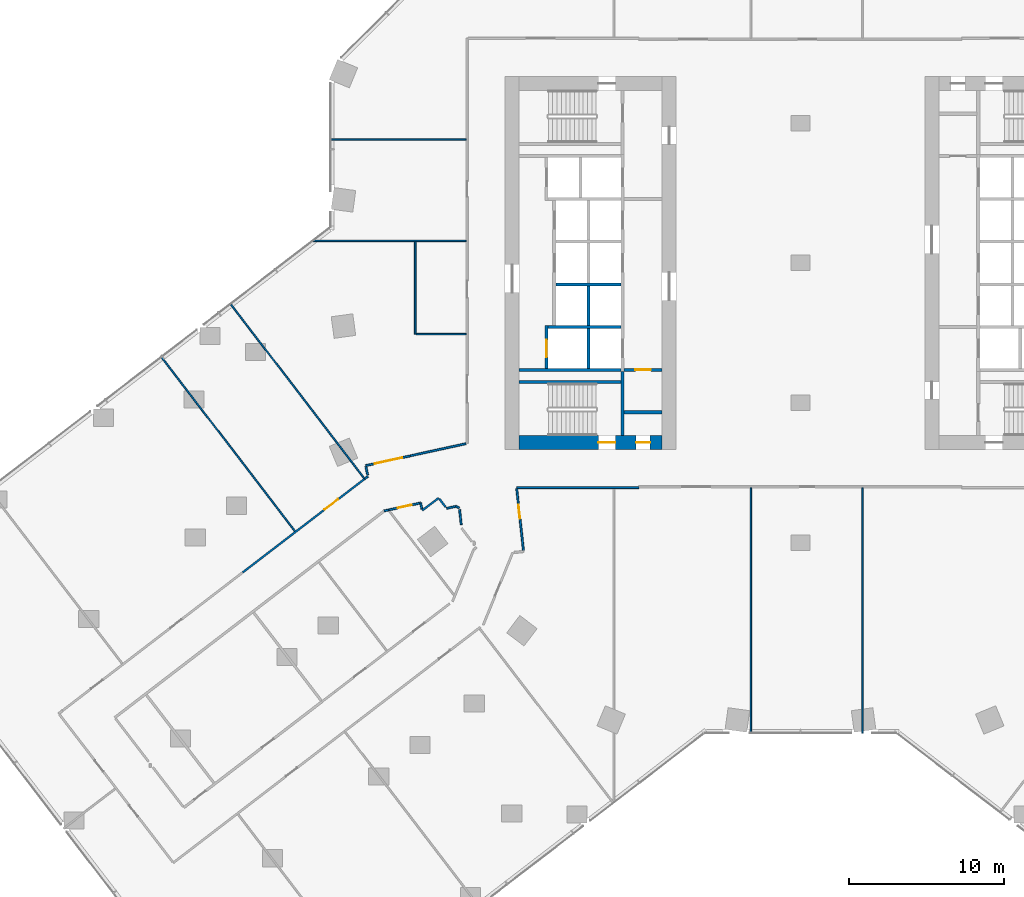
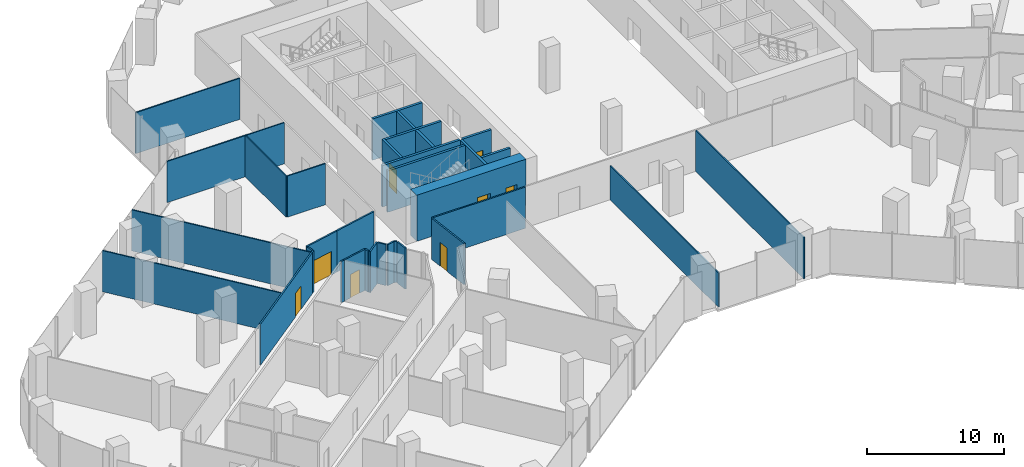
# One storey, part 22 of 29: 34 walls, 8 doors, 8 openings.
"""IFC4 building model written with IfcOpenShell, lengths in metres."""

from ifc_helpers import new_model, si_unit, direction, frame, frame_2d, origin, place, context, subcontext, project, spatial, rectangle, extrude, material, layer, layer_set, type_object, element, fill, save


model = new_model("IFC4")

# Units and contexts
model_context = context("Model", 3, precision=1e-05, world=origin(), true_north=direction((0.0, 1.0)))
body_context = subcontext(model_context, "Body", "Model", "MODEL_VIEW")
ifc_project = project(units=[si_unit("LENGTHUNIT", "METRE"), si_unit("AREAUNIT", "SQUARE_METRE"), si_unit("VOLUMEUNIT", "CUBIC_METRE"), si_unit("PLANEANGLEUNIT", "RADIAN"), si_unit("MASSUNIT", "GRAM", prefix="KILO")], contexts=[model_context])

# Site, building, storey
site_placement = place(None, origin())
site = spatial("IfcSite", under=ifc_project, at=site_placement, CompositionType="ELEMENT")
building_placement = place(site_placement, origin())
building = spatial("IfcBuilding", under=site, at=building_placement, Name="Orlundy Tower", CompositionType="ELEMENT")
storey_placement = place(building_placement, frame((0.0, 0.0, 29.199951171875)))
storey = spatial("IfcBuildingStorey", under=building, at=storey_placement, Name="L05", CompositionType="ELEMENT", Elevation=29.199951171875)

# Wall, openings, doors
ifc_material_1 = material(Name="Concrete C80/95", Category="concrete")
ifc_layer_1 = layer(ifc_material_1, 0.89990234375)
ifc_layer_set_1 = layer_set([ifc_layer_1], Name="CORE WALL 900 C80/95")
wall_type_1 = type_object("IfcWallType", Name="CORE WALL 900 C80/95", PredefinedType="SHEAR", material=ifc_layer_set_1)
wall_1_placement = place(storey_placement, frame((-18.10009765625, -11.550048828125, 0.0), z_axis=(0.0, 0.0, 1.0), x_axis=(1.0, 0.0, 0.0)))
wall_1 = element("IfcWall", 1, at=wall_1_placement, inside=storey, type_object=wall_type_1, Name="Core wall W-S L05", PredefinedType="SHEAR", context=body_context, shape_type="SweptSolid", body=[
    extrude(rectangle(XDim=9.2001953125, YDim=0.89990234375, at=frame_2d((4.60009765625, 0.0))), origin(), (0.0, 0.0, 1.0), 4.10009765625),
])
opening_1_placement = place(wall_1_placement, frame((5.10009765625, 0.0, 0.0)))
opening_1 = element("IfcOpeningElement", 2, at=opening_1_placement, cuts=wall_1, Name="Opening 06013", PredefinedType="OPENING", context=body_context, shape_type="SweptSolid", body=[
    extrude(rectangle(XDim=1.10009765625, YDim=2.10009765625, at=frame_2d((0.550048828125, 1.050048828125))), frame((0.0, 0.4599609375, 0.0), z_axis=(0.0, -1.0, 0.0), x_axis=(1.0, 0.0, 0.0)), (0.0, 0.0, 1.0), 0.919921875),
])
opening_2_placement = place(wall_1_placement, frame((7.530029296875, 0.0, 0.0)))
opening_2 = element("IfcOpeningElement", 3, at=opening_2_placement, cuts=wall_1, Name="Opening 06015", PredefinedType="OPENING", context=body_context, shape_type="SweptSolid", body=[
    extrude(rectangle(XDim=0.89990234375, YDim=2.10009765625, at=frame_2d((0.449951171875, 1.050048828125))), frame((0.0, 0.4599609375, 0.0), z_axis=(0.0, -1.0, 0.0), x_axis=(1.0, 0.0, 0.0)), (0.0, 0.0, 1.0), 0.919921875),
])
ifc_material_2 = material(Name="Timber door set", Category="wood")
door_type_1 = type_object("IfcDoorType", Name="Room Door 900x2100", OperationType="SINGLE_SWING_LEFT", PredefinedType="DOOR", material=ifc_material_2)
door_1_placement = place(opening_2_placement, origin())
door_1 = element("IfcDoor", 4, at=door_1_placement, inside=storey, type_object=door_type_1, Name="Store door 06015", OperationType="SINGLE_SWING_RIGHT", OverallHeight=2.10009765625, OverallWidth=0.89990234375, PredefinedType="DOOR", context=body_context, shape_type="SweptSolid", body=[
    extrude(rectangle(XDim=0.89990234375, YDim=2.10009765625, at=frame_2d((0.449951171875, 1.050048828125))), frame((0.0, 0.02490234375, 0.0), z_axis=(0.0, -1.0, 0.0), x_axis=(1.0, 0.0, 0.0)), (0.0, 0.0, 1.0), 0.050048828125),
])
fill(opening_2, door_1)
ifc_material_3 = material(Name="Steel door set", Category="steel")
door_type_2 = type_object("IfcDoorType", Name="Stair Door 1100x2100", OperationType="SINGLE_SWING_LEFT", PredefinedType="DOOR", material=ifc_material_3)
door_2_placement = place(opening_1_placement, origin())
door_2 = element("IfcDoor", 5, at=door_2_placement, inside=storey, type_object=door_type_2, Name="Stair door 06013", OperationType="SINGLE_SWING_RIGHT", OverallHeight=2.10009765625, OverallWidth=1.10009765625, PredefinedType="DOOR", context=body_context, shape_type="SweptSolid", body=[
    extrude(rectangle(XDim=1.10009765625, YDim=2.10009765625, at=frame_2d((0.550048828125, 1.050048828125))), frame((0.0, 0.02490234375, 0.0), z_axis=(0.0, -1.0, 0.0), x_axis=(1.0, 0.0, 0.0)), (0.0, 0.0, 1.0), 0.050048828125),
])
fill(opening_1, door_2)

# Walls
ifc_material_4 = material(Name="Gypsum board partition")
ifc_layer_2 = layer(ifc_material_4, 0.10009765625)
ifc_layer_set_2 = layer_set([ifc_layer_2], Name="Floor partition 100")
wall_type_2 = type_object("IfcWallType", Name="Floor partition 100", PredefinedType="PARTITIONING", material=ifc_layer_set_2)
wall_2_placement = place(storey_placement, frame((-41.1259765625, -6.032958984375, 0.0), z_axis=(0.0, 0.0, 1.0), x_axis=(0.608775561638, -0.793342495743, 0.0)))
element("IfcWall", 6, at=wall_2_placement, inside=storey, type_object=wall_type_2, Name="wall-int-L05-021", PredefinedType="PARTITIONING", context=body_context, shape_type="SweptSolid", body=[
    extrude(rectangle(XDim=14.136474609375, YDim=0.10009765625, at=frame_2d((7.068359375, 0.0))), origin(), (0.0, 0.0, 1.0), 3.66015625),
])
wall_3_placement = place(storey_placement, frame((-36.677978515625, -2.6201171875, 0.0), z_axis=(0.0, 0.0, 1.0), x_axis=(0.608783902678, -0.793336095132, 0.0)))
element("IfcWall", 7, at=wall_3_placement, inside=storey, type_object=wall_type_2, Name="wall-int-L05-023", PredefinedType="PARTITIONING", context=body_context, shape_type="SweptSolid", body=[
    extrude(rectangle(XDim=14.13623046875, YDim=0.10009765625, at=frame_2d((7.068115234375, 0.0))), origin(), (0.0, 0.0, 1.0), 3.66015625),
])
wall_4_placement = place(storey_placement, frame((-24.73193359375, -4.5791015625, 0.0), z_axis=(0.0, 0.0, 1.0), x_axis=(1.0, 0.0, 0.0)))
element("IfcWall", 8, at=wall_4_placement, inside=storey, type_object=wall_type_2, Name="wall-int-L05-043", PredefinedType="PARTITIONING", context=body_context, shape_type="SweptSolid", body=[
    extrude(rectangle(XDim=3.219970703125, YDim=0.10009765625, at=frame_2d((1.60986328125, 0.0))), origin(), (0.0, 0.0, 1.0), 3.66015625),
])
wall_5_placement = place(storey_placement, frame((-31.4140625, 1.419921875, 0.0), z_axis=(0.0, 0.0, 1.0), x_axis=(1.0, 0.0, 0.0)))
element("IfcWall", 9, at=wall_5_placement, inside=storey, type_object=wall_type_2, Name="wall-int-L05-044", PredefinedType="PARTITIONING", context=body_context, shape_type="SweptSolid", body=[
    extrude(rectangle(XDim=9.902099609375, YDim=0.10009765625, at=frame_2d((4.951171875, 0.0))), origin(), (0.0, 0.0, 1.0), 3.66015625),
])
wall_6_placement = place(storey_placement, frame((-30.25, 7.93408203125, 0.0), z_axis=(0.0, 0.0, 1.0), x_axis=(1.0, 0.0, 0.0)))
element("IfcWall", 10, at=wall_6_placement, inside=storey, type_object=wall_type_2, Name="wall-int-L05-046", PredefinedType="PARTITIONING", context=body_context, shape_type="SweptSolid", body=[
    extrude(rectangle(XDim=8.738037109375, YDim=0.10009765625, at=frame_2d((4.369140625, 0.0))), origin(), (0.0, 0.0, 1.0), 3.66015625),
])
wall_7_placement = place(storey_placement, frame((4.0, -30.25, 0.0), z_axis=(0.0, 0.0, 1.0), x_axis=(0.0, 1.0, 0.0)))
element("IfcWall", 11, at=wall_7_placement, inside=storey, type_object=wall_type_2, Name="wall-int-L05-093", PredefinedType="PARTITIONING", context=body_context, shape_type="SweptSolid", body=[
    extrude(rectangle(XDim=15.787109375, YDim=0.10009765625, at=frame_2d((7.8935546875, 0.0))), origin(), (0.0, 0.0, 1.0), 3.66015625),
])
wall_8_placement = place(storey_placement, frame((-24.781982421875, -4.5791015625, 0.0), z_axis=(0.0, 0.0, 1.0), x_axis=(0.0, 1.0, 0.0)))
element("IfcWall", 12, at=wall_8_placement, inside=storey, type_object=wall_type_2, Name="wall-int-L05-100", PredefinedType="PARTITIONING", context=body_context, shape_type="SweptSolid", body=[
    extrude(rectangle(XDim=5.94921875, YDim=0.10009765625, at=frame_2d((2.974609375, 0.0))), origin(), (0.0, 0.0, 1.0), 3.66015625),
])
ifc_material_5 = material(Name="Gypsum board partition")
ifc_layer_3 = layer(ifc_material_5, 0.10009765625)
ifc_layer_set_3 = layer_set([ifc_layer_3], Name="Floor partition 100 B")
wall_type_3 = type_object("IfcWallType", Name="Floor partition 100 B", PredefinedType="PARTITIONING", material=ifc_layer_set_3)
wall_9_placement = place(storey_placement, frame((-3.195068359375, -30.25, 0.0), z_axis=(0.0, 0.0, 1.0), x_axis=(0.0, 1.0, 0.0)))
element("IfcWall", 13, at=wall_9_placement, inside=storey, type_object=wall_type_3, Name="wall-int-L05-095", PredefinedType="PARTITIONING", context=body_context, shape_type="SweptSolid", body=[
    extrude(rectangle(XDim=15.787109375, YDim=0.10009765625, at=frame_2d((7.8935546875, 0.0))), origin(), (0.0, 0.0, 1.0), 3.025146484375),
])
ifc_material_6 = material(Name="Gypsum board partition, double layer")
ifc_layer_4 = layer(ifc_material_6, 0.125)
ifc_layer_set_4 = layer_set([ifc_layer_4], Name="Floor partition 125")
wall_type_4 = type_object("IfcWallType", Name="Floor partition 125", PredefinedType="PARTITIONING", material=ifc_layer_set_4)
wall_10_placement = place(storey_placement, frame((-21.930908203125, -15.864013671875, 0.0), z_axis=(0.0, 0.0, 1.0), x_axis=(0.10837572028, -0.99411000561, 0.0)))
element("IfcWall", 14, at=wall_10_placement, inside=storey, type_object=wall_type_4, Name="wall-int-L05-002", PredefinedType="PARTITIONING", context=body_context, shape_type="SweptSolid", body=[
    extrude(rectangle(XDim=0.977783203125, YDim=0.125, at=frame_2d((0.48876953125, 0.0))), origin(), (0.0, 0.0, 1.0), 3.66015625),
])

# Wall, opening, door
wall_11_placement = place(storey_placement, frame((-18.2548828125, -14.512939453125, 0.0), z_axis=(0.0, 0.0, 1.0), x_axis=(0.108304050005, -0.994117816334, 0.0)))
wall_11 = element("IfcWall", 15, at=wall_11_placement, inside=storey, type_object=wall_type_4, Name="wall-int-L05-003", PredefinedType="PARTITIONING", context=body_context, shape_type="SweptSolid", body=[
    extrude(rectangle(XDim=4.005859375, YDim=0.125, at=frame_2d((2.0029296875, 0.0))), origin(), (0.0, 0.0, 1.0), 3.66015625),
])
opening_3_placement = place(wall_11_placement, frame((1.03759765625, 0.0, 0.0)))
opening_3 = element("IfcOpeningElement", 16, at=opening_3_placement, cuts=wall_11, Name="Opening 06126", PredefinedType="OPENING", context=body_context, shape_type="SweptSolid", body=[
    extrude(rectangle(XDim=0.89990234375, YDim=2.10009765625, at=frame_2d((0.449951171875, 1.050048828125))), frame((0.0, 0.072509765625, 0.0), z_axis=(0.0, -1.0, 0.0), x_axis=(1.0, 0.0, 0.0)), (0.0, 0.0, 1.0), 0.14501953125),
])
ifc_material_7 = material(Name="Timber door leaf", Category="wood")
door_type_3 = type_object("IfcDoorType", Name="Floor door single 900 FD30S", OperationType="NOTDEFINED", PredefinedType="DOOR", material=ifc_material_7)
door_3_placement = place(opening_3_placement, origin())
door_3 = element("IfcDoor", 17, at=door_3_placement, inside=storey, type_object=door_type_3, Name="Door 06126", OperationType="SINGLE_SWING_LEFT", OverallHeight=2.10009765625, OverallWidth=0.89990234375, PredefinedType="DOOR", context=body_context, shape_type="SweptSolid", body=[
    extrude(rectangle(XDim=0.89990234375, YDim=2.10009765625, at=frame_2d((0.449951171875, 1.050048828125))), frame((0.0, 0.02490234375, 0.0), z_axis=(0.0, -1.0, 0.0), x_axis=(1.0, 0.0, 0.0)), (0.0, 0.0, 1.0), 0.050048828125),
])
fill(opening_3, door_3)

# Walls
wall_12_placement = place(storey_placement, frame((-24.43798828125, -15.43701171875, 0.0), z_axis=(0.0, 0.0, 1.0), x_axis=(0.212096867325, -0.977248647413, 0.0)))
element("IfcWall", 18, at=wall_12_placement, inside=storey, type_object=wall_type_4, Name="wall-int-L05-006", PredefinedType="PARTITIONING", context=body_context, shape_type="SweptSolid", body=[
    extrude(rectangle(XDim=0.39599609375, YDim=0.125, at=frame_2d((0.197998046875, 0.0))), origin(), (0.0, 0.0, 1.0), 3.66015625),
])
wall_13_placement = place(storey_placement, frame((-27.958984375, -13.10009765625, 0.0), z_axis=(0.0, 0.0, 1.0), x_axis=(0.215346078447, -0.976537795734, 0.0)))
element("IfcWall", 19, at=wall_13_placement, inside=storey, type_object=wall_type_4, Name="wall-int-L05-007", PredefinedType="PARTITIONING", context=body_context, shape_type="SweptSolid", body=[
    extrude(rectangle(XDim=0.53857421875, YDim=0.125, at=frame_2d((0.269287109375, 0.0))), origin(), (0.0, 0.0, 1.0), 3.66015625),
])
wall_14_placement = place(storey_placement, frame((-23.23388671875, -15.16796875, 0.0), z_axis=(0.0, 0.0, 1.0), x_axis=(0.602990949897, -0.797748026849, 0.0)))
element("IfcWall", 20, at=wall_14_placement, inside=storey, type_object=wall_type_4, Name="wall-int-L05-011", PredefinedType="PARTITIONING", context=body_context, shape_type="SweptSolid", body=[
    extrude(rectangle(XDim=0.67822265625, YDim=0.125, at=frame_2d((0.339111328125, 0.0))), origin(), (0.0, 0.0, 1.0), 3.66015625),
])
wall_15_placement = place(storey_placement, frame((-22.169921875, -15.656005859375, 0.0), z_axis=(0.0, 0.0, 1.0), x_axis=(0.914864311429, -0.403761429156, 0.0)))
element("IfcWall", 21, at=wall_15_placement, inside=storey, type_object=wall_type_4, Name="wall-int-L05-038", PredefinedType="PARTITIONING", context=body_context, shape_type="SweptSolid", body=[
    extrude(rectangle(XDim=0.247802734375, YDim=0.125, at=frame_2d((0.1240234375, 0.0))), origin(), (0.0, 0.0, 1.0), 3.66015625),
])
wall_16_placement = place(storey_placement, frame((-18.261962890625, -14.450927734375, 0.0), z_axis=(0.0, 0.0, 1.0), x_axis=(1.0, 0.0, 0.0)))
element("IfcWall", 22, at=wall_16_placement, inside=storey, type_object=wall_type_4, Name="wall-int-L05-039", PredefinedType="PARTITIONING", context=body_context, shape_type="SweptSolid", body=[
    extrude(rectangle(XDim=7.870849609375, YDim=0.125, at=frame_2d((3.935546875, 0.0))), origin(), (0.0, 0.0, 1.0), 3.66015625),
])
wall_17_placement = place(storey_placement, frame((-26.784912109375, -15.951904296875, 0.0), z_axis=(0.0, 0.0, 1.0), x_axis=(0.977034522057, 0.213081070744, 0.0)))
element("IfcWall", 23, at=wall_17_placement, inside=storey, type_object=wall_type_4, Name="wall-int-L05-053", PredefinedType="PARTITIONING", context=body_context, shape_type="SweptSolid", body=[
    extrude(rectangle(XDim=0.295654296875, YDim=0.125, at=frame_2d((0.14794921875, 0.0))), origin(), (0.0, 0.0, 1.0), 3.66015625),
])
wall_18_placement = place(storey_placement, frame((-22.764892578125, -15.787109375, 0.0), z_axis=(0.0, 0.0, 1.0), x_axis=(0.97657209397, 0.215190486033, 0.0)))
element("IfcWall", 24, at=wall_18_placement, inside=storey, type_object=wall_type_4, Name="wall-int-L05-054", PredefinedType="PARTITIONING", context=body_context, shape_type="SweptSolid", body=[
    extrude(rectangle(XDim=0.609130859375, YDim=0.125, at=frame_2d((0.3046875, 0.0))), origin(), (0.0, 0.0, 1.0), 3.66015625),
])

# Wall, opening, door
wall_19_placement = place(storey_placement, frame((-24.43798828125, -15.43701171875, 0.0), z_axis=(0.0, 0.0, 1.0), x_axis=(-0.976731913461, -0.214463911247, 0.0)))
wall_19 = element("IfcWall", 25, at=wall_19_placement, inside=storey, type_object=wall_type_4, Name="wall-int-L05-055", PredefinedType="PARTITIONING", context=body_context, shape_type="SweptSolid", body=[
    extrude(rectangle(XDim=2.107177734375, YDim=0.125, at=frame_2d((1.0537109375, 0.0))), origin(), (0.0, 0.0, 1.0), 3.66015625),
])
opening_4_placement = place(wall_19_placement, frame((0.60009765625, 0.0, 0.0)))
opening_4 = element("IfcOpeningElement", 26, at=opening_4_placement, cuts=wall_19, Name="Opening 06124", PredefinedType="OPENING", context=body_context, shape_type="SweptSolid", body=[
    extrude(rectangle(XDim=0.89990234375, YDim=2.10009765625, at=frame_2d((0.449951171875, 1.050048828125))), frame((0.0, 0.072509765625, 0.0), z_axis=(0.0, -1.0, 0.0), x_axis=(1.0, 0.0, 0.0)), (0.0, 0.0, 1.0), 0.14501953125),
])
door_4_placement = place(opening_4_placement, origin())
door_4 = element("IfcDoor", 27, at=door_4_placement, inside=storey, type_object=door_type_3, Name="Door 06124", OperationType="SINGLE_SWING_LEFT", OverallHeight=2.10009765625, OverallWidth=0.89990234375, PredefinedType="DOOR", context=body_context, shape_type="SweptSolid", body=[
    extrude(rectangle(XDim=0.89990234375, YDim=2.10009765625, at=frame_2d((0.449951171875, 1.050048828125))), frame((0.0, 0.02490234375, 0.0), z_axis=(0.0, -1.0, 0.0), x_axis=(1.0, 0.0, 0.0)), (0.0, 0.0, 1.0), 0.050048828125),
])
fill(opening_4, door_4)

# Wall
wall_20_placement = place(storey_placement, frame((-25.10205078125, -12.407958984375, 0.0), z_axis=(0.0, 0.0, 1.0), x_axis=(0.976805954505, 0.214126428176, 0.0)))
element("IfcWall", 28, at=wall_20_placement, inside=storey, type_object=wall_type_4, Name="wall-int-L05-056", PredefinedType="PARTITIONING", context=body_context, shape_type="SweptSolid", body=[
    extrude(rectangle(XDim=3.6611328125, YDim=0.125, at=frame_2d((1.83056640625, 0.0))), origin(), (0.0, 0.0, 1.0), 3.66015625),
])

# Wall, opening, door
wall_21_placement = place(storey_placement, frame((-27.971923828125, -13.0380859375, 0.0), z_axis=(0.0, 0.0, 1.0), x_axis=(0.976718013582, 0.214527205604, 0.0)))
wall_21 = element("IfcWall", 29, at=wall_21_placement, inside=storey, type_object=wall_type_4, Name="wall-int-L05-057", PredefinedType="PARTITIONING", context=body_context, shape_type="SweptSolid", body=[
    extrude(rectangle(XDim=2.937255859375, YDim=0.125, at=frame_2d((1.46875, 0.0))), origin(), (0.0, 0.0, 1.0), 3.66015625),
])
opening_5_placement = place(wall_21_placement, frame((0.60009765625, 0.0, 0.0)))
opening_5 = element("IfcOpeningElement", 30, at=opening_5_placement, cuts=wall_21, Name="Opening 06122", PredefinedType="OPENING", context=body_context, shape_type="SweptSolid", body=[
    extrude(rectangle(XDim=1.800048828125, YDim=2.10009765625, at=frame_2d((0.89990234375, 1.050048828125))), frame((0.0, 0.072509765625, 0.0), z_axis=(0.0, -1.0, 0.0), x_axis=(1.0, 0.0, 0.0)), (0.0, 0.0, 1.0), 0.14501953125),
])
ifc_material_8 = material(Name="Timber door leaf", Category="wood")
door_type_4 = type_object("IfcDoorType", Name="Floor door double 1800 FD30S", OperationType="NOTDEFINED", PredefinedType="DOOR", material=ifc_material_8)
door_5_placement = place(opening_5_placement, origin())
door_5 = element("IfcDoor", 31, at=door_5_placement, inside=storey, type_object=door_type_4, Name="Door 06122", OperationType="DOUBLE_DOOR_SINGLE_SWING", OverallHeight=2.10009765625, OverallWidth=1.800048828125, PredefinedType="DOOR", context=body_context, shape_type="SweptSolid", body=[
    extrude(rectangle(XDim=1.800048828125, YDim=2.10009765625, at=frame_2d((0.89990234375, 1.050048828125))), frame((0.0, 0.02490234375, 0.0), z_axis=(0.0, -1.0, 0.0), x_axis=(1.0, 0.0, 0.0)), (0.0, 0.0, 1.0), 0.050048828125),
])
fill(opening_5, door_5)

# Wall
wall_22_placement = place(storey_placement, frame((-24.33203125, -15.919921875, 0.0), z_axis=(0.0, 0.0, 1.0), x_axis=(0.797480426333, 0.603344818172, 0.0)))
element("IfcWall", 32, at=wall_22_placement, inside=storey, type_object=wall_type_4, Name="wall-int-L05-059", PredefinedType="PARTITIONING", context=body_context, shape_type="SweptSolid", body=[
    extrude(rectangle(XDim=1.329345703125, YDim=0.125, at=frame_2d((0.66455078125, 0.0))), origin(), (0.0, 0.0, 1.0), 3.66015625),
])

# Wall, opening, door
wall_23_placement = place(storey_placement, frame((-35.881103515625, -19.906005859375, 0.0), z_axis=(0.0, 0.0, 1.0), x_axis=(0.793491146474, 0.608581794394, 0.0)))
wall_23 = element("IfcWall", 33, at=wall_23_placement, inside=storey, type_object=wall_type_4, Name="wall-int-L05-071", PredefinedType="PARTITIONING", context=body_context, shape_type="SweptSolid", body=[
    extrude(rectangle(XDim=9.891845703125, YDim=0.125, at=frame_2d((4.94580078125, 0.0))), origin(), (0.0, 0.0, 1.0), 3.66015625),
])
opening_6_placement = place(wall_23_placement, frame((6.63427734375, 0.0, 0.0)))
opening_6 = element("IfcOpeningElement", 34, at=opening_6_placement, cuts=wall_23, Name="Opening 06120", PredefinedType="OPENING", context=body_context, shape_type="SweptSolid", body=[
    extrude(rectangle(XDim=1.10009765625, YDim=2.10009765625, at=frame_2d((0.550048828125, 1.050048828125))), frame((0.0, 0.072509765625, 0.0), z_axis=(0.0, -1.0, 0.0), x_axis=(1.0, 0.0, 0.0)), (0.0, 0.0, 1.0), 0.14501953125),
])
ifc_material_9 = material(Name="Timber door leaf", Category="wood")
door_type_5 = type_object("IfcDoorType", Name="Floor door xwide 1100 FD30S", OperationType="NOTDEFINED", PredefinedType="DOOR", material=ifc_material_9)
door_6_placement = place(opening_6_placement, origin())
door_6 = element("IfcDoor", 35, at=door_6_placement, inside=storey, type_object=door_type_5, Name="Door 06120", OperationType="SINGLE_SWING_RIGHT", OverallHeight=2.10009765625, OverallWidth=1.10009765625, PredefinedType="DOOR", context=body_context, shape_type="SweptSolid", body=[
    extrude(rectangle(XDim=1.10009765625, YDim=2.10009765625, at=frame_2d((0.550048828125, 1.050048828125))), frame((0.0, 0.02490234375, 0.0), z_axis=(0.0, -1.0, 0.0), x_axis=(1.0, 0.0, 0.0)), (0.0, 0.0, 1.0), 0.050048828125),
])
fill(opening_6, door_6)

# Walls
wall_24_placement = place(storey_placement, frame((-28.033935546875, -13.885009765625, 0.0), z_axis=(0.0, 0.0, 1.0), x_axis=(0.792488206653, 0.609887237378, 0.0)))
element("IfcWall", 36, at=wall_24_placement, inside=storey, type_object=wall_type_4, Name="wall-int-L05-072", PredefinedType="PARTITIONING", context=body_context, shape_type="SweptSolid", body=[
    extrude(rectangle(XDim=0.267333984375, YDim=0.125, at=frame_2d((0.1337890625, 0.0))), origin(), (0.0, 0.0, 1.0), 3.66015625),
])
ifc_material_10 = material(Name="Concrete C40/50", Category="concrete")
ifc_layer_5 = layer(ifc_material_10, 0.199951171875)
ifc_layer_set_5 = layer_set([ifc_layer_5], Name="Load-bearing Shaft Wall 200")
wall_type_5 = type_object("IfcWallType", Name="Load-bearing Shaft Wall 200", PredefinedType="SOLIDWALL", material=ifc_layer_set_5)
wall_25_placement = place(storey_placement, frame((-11.43994140625, -11.10009765625, 0.0), z_axis=(0.0, 0.0, 1.0), x_axis=(0.0, 1.0, 0.0)))
element("IfcWall", 37, at=wall_25_placement, inside=storey, type_object=wall_type_5, Name="Shaft wall W06-stair-end-s", PredefinedType="SOLIDWALL", context=body_context, shape_type="SweptSolid", body=[
    extrude(rectangle(XDim=4.125, YDim=0.199951171875, at=frame_2d((2.0625, 0.0))), origin(), (0.0, 0.0, 1.0), 3.679931640625),
])
wall_26_placement = place(storey_placement, frame((-11.5400390625, -7.64990234375, 0.0), z_axis=(0.0, 0.0, 1.0), x_axis=(-1.0, 0.0, 0.0)))
element("IfcWall", 38, at=wall_26_placement, inside=storey, type_object=wall_type_5, Name="Shaft wall W06-stair-side-s", PredefinedType="SOLIDWALL", context=body_context, shape_type="SweptSolid", body=[
    extrude(rectangle(XDim=6.56005859375, YDim=0.199951171875, at=frame_2d((3.280029296875, 0.0))), origin(), (0.0, 0.0, 1.0), 3.679931640625),
])

# Wall, opening, door
ifc_material_11 = material(Name="Gypsum board partition on steel studs", Category="steel")
ifc_layer_6 = layer(ifc_material_11, 0.199951171875)
ifc_layer_set_6 = layer_set([ifc_layer_6], Name="Partition 200")
wall_type_6 = type_object("IfcWallType", Name="Partition 200", PredefinedType="PARTITIONING", material=ifc_layer_set_6)
wall_27_placement = place(storey_placement, frame((-8.89990234375, -6.875, 0.0), z_axis=(0.0, 0.0, 1.0), x_axis=(-1.0, 0.0, 0.0)))
wall_27 = element("IfcWall", 39, at=wall_27_placement, inside=storey, type_object=wall_type_6, Name="Partition wall W06-end-s", PredefinedType="PARTITIONING", context=body_context, shape_type="SweptSolid", body=[
    extrude(rectangle(XDim=2.440185546875, YDim=0.199951171875, at=frame_2d((1.22021484375, 0.0))), origin(), (0.0, 0.0, 1.0), 3.679931640625),
])
opening_7_placement = place(wall_27_placement, frame((0.719970703125, 0.0, 0.0)))
opening_7 = element("IfcOpeningElement", 40, at=opening_7_placement, cuts=wall_27, Name="Opening 06016", PredefinedType="OPENING", context=body_context, shape_type="SweptSolid", body=[
    extrude(rectangle(XDim=1.0, YDim=2.10009765625, at=frame_2d((0.5, 1.050048828125))), frame((0.0, 0.110107421875, 0.0), z_axis=(0.0, -1.0, 0.0), x_axis=(1.0, 0.0, 0.0)), (0.0, 0.0, 1.0), 0.22021484375),
])
ifc_material_12 = material(Name="Timber door set", Category="wood")
door_type_6 = type_object("IfcDoorType", Name="Accessible Door 1000x2100", OperationType="SINGLE_SWING_LEFT", PredefinedType="DOOR", material=ifc_material_12)
door_7_placement = place(opening_7_placement, origin())
door_7 = element("IfcDoor", 41, at=door_7_placement, inside=storey, type_object=door_type_6, Name="Accessible WC door 06016", OperationType="SINGLE_SWING_RIGHT", OverallHeight=2.10009765625, OverallWidth=1.0, PredefinedType="DOOR", context=body_context, shape_type="SweptSolid", body=[
    extrude(rectangle(XDim=1.0, YDim=2.10009765625, at=frame_2d((0.5, 1.050048828125))), frame((0.0, 0.02490234375, 0.0), z_axis=(0.0, -1.0, 0.0), x_axis=(1.0, 0.0, 0.0)), (0.0, 0.0, 1.0), 0.050048828125),
])
fill(opening_7, door_7)

# Walls
wall_28_placement = place(storey_placement, frame((-8.89990234375, -9.60009765625, 0.0), z_axis=(0.0, 0.0, 1.0), x_axis=(-1.0, 0.0, 0.0)))
element("IfcWall", 42, at=wall_28_placement, inside=storey, type_object=wall_type_6, Name="Partition wall W06-room-s0", PredefinedType="PARTITIONING", context=body_context, shape_type="SweptSolid", body=[
    extrude(rectangle(XDim=2.440185546875, YDim=0.199951171875, at=frame_2d((1.22021484375, 0.0))), origin(), (0.0, 0.0, 1.0), 3.679931640625),
])
ifc_material_13 = material(Name="Fire-rated blockwork shaft wall", Category="masonry")
ifc_layer_7 = layer(ifc_material_13, 0.199951171875)
ifc_layer_set_7 = layer_set([ifc_layer_7], Name="Shaft Wall 200")
wall_type_7 = type_object("IfcWallType", Name="Shaft Wall 200", PredefinedType="SOLIDWALL", material=ifc_layer_set_7)
wall_29_placement = place(storey_placement, frame((-11.5400390625, -6.875, 0.0), z_axis=(0.0, 0.0, 1.0), x_axis=(-1.0, 0.0, 0.0)))
element("IfcWall", 43, at=wall_29_placement, inside=storey, type_object=wall_type_7, Name="Shaft wall W06-zone-s", PredefinedType="SOLIDWALL", context=body_context, shape_type="SweptSolid", body=[
    extrude(rectangle(XDim=6.56005859375, YDim=0.199951171875, at=frame_2d((3.280029296875, 0.0))), origin(), (0.0, 0.0, 1.0), 3.679931640625),
])
wall_30_placement = place(storey_placement, frame((-11.5400390625, -4.125, 0.0), z_axis=(0.0, 0.0, 1.0), x_axis=(-1.0, 0.0, 0.0)))
element("IfcWall", 44, at=wall_30_placement, inside=storey, type_object=wall_type_7, Name="Shaft wall W06-cross-4.125", PredefinedType="SOLIDWALL", context=body_context, shape_type="SweptSolid", body=[
    extrude(rectangle(XDim=4.699951171875, YDim=0.199951171875, at=frame_2d((2.35009765625, 0.0))), origin(), (0.0, 0.0, 1.0), 3.679931640625),
])
wall_31_placement = place(storey_placement, frame((-11.5400390625, -1.375, 0.0), z_axis=(0.0, 0.0, 1.0), x_axis=(-1.0, 0.0, 0.0)))
element("IfcWall", 45, at=wall_31_placement, inside=storey, type_object=wall_type_7, Name="Shaft wall W06-cross-1.375", PredefinedType="SOLIDWALL", context=body_context, shape_type="SweptSolid", body=[
    extrude(rectangle(XDim=4.199951171875, YDim=0.199951171875, at=frame_2d((2.10009765625, 0.0))), origin(), (0.0, 0.0, 1.0), 3.679931640625),
])
for number, where, z_axis, x_axis, name in (
    (46, (-13.639892578125, -6.77490234375, 0.0), (0.0, 0.0, 1.0), (0.0, 1.0, 0.0), "Shaft wall W06-mid-a"),
    (47, (-13.639892578125, -4.02490234375, 0.0), (0.0, 0.0, 1.0), (0.0, 1.0, 0.0), "Shaft wall W06-mid-a.1"),
):
    element("IfcWall", number, at=place(storey_placement, frame(where, z_axis=z_axis, x_axis=x_axis)), inside=storey, type_object=wall_type_7, Name=name, PredefinedType="SOLIDWALL", context=body_context, shape_type="SweptSolid", body=[
        extrude(rectangle(XDim=2.5498046875, YDim=0.199951171875, at=frame_2d((1.27490234375, 0.0))), origin(), (0.0, 0.0, 1.0), 3.679931640625),
    ])

# Wall, opening, door
wall_32_placement = place(storey_placement, frame((-16.340087890625, -6.77490234375, 0.0), z_axis=(0.0, 0.0, 1.0), x_axis=(0.0, 1.0, 0.0)))
wall_32 = element("IfcWall", 48, at=wall_32_placement, inside=storey, type_object=wall_type_7, Name="Shaft wall W06-front-o-a", PredefinedType="SOLIDWALL", context=body_context, shape_type="SweptSolid", body=[
    extrude(rectangle(XDim=2.75, YDim=0.199951171875, at=frame_2d((1.375, 0.0))), origin(), (0.0, 0.0, 1.0), 3.679931640625),
])
opening_8_placement = place(wall_32_placement, frame((0.72509765625, 0.0, 0.0)))
opening_8 = element("IfcOpeningElement", 49, at=opening_8_placement, cuts=wall_32, Name="Opening 06002", PredefinedType="OPENING", context=body_context, shape_type="SweptSolid", body=[
    extrude(rectangle(XDim=1.10009765625, YDim=2.10009765625, at=frame_2d((0.550048828125, 1.050048828125))), frame((0.0, 0.110107421875, 0.0), z_axis=(0.0, -1.0, 0.0), x_axis=(1.0, 0.0, 0.0)), (0.0, 0.0, 1.0), 0.22021484375),
])
ifc_material_14 = material(Name="Steel door set", Category="steel")
door_type_7 = type_object("IfcDoorType", Name="Landing Door 1100x2100", OperationType="DOUBLE_DOOR_SLIDING", PredefinedType="DOOR", material=ifc_material_14)
door_8_placement = place(opening_8_placement, origin())
door_8 = element("IfcDoor", 50, at=door_8_placement, inside=storey, type_object=door_type_7, Name="Lift landing door LV-01 06002", OperationType="DOUBLE_DOOR_SLIDING", OverallHeight=2.10009765625, OverallWidth=1.10009765625, PredefinedType="DOOR", context=body_context, shape_type="SweptSolid", body=[
    extrude(rectangle(XDim=1.10009765625, YDim=2.10009765625, at=frame_2d((0.550048828125, 1.050048828125))), frame((0.0, 0.02490234375, 0.0), z_axis=(0.0, -1.0, 0.0), x_axis=(1.0, 0.0, 0.0)), (0.0, 0.0, 1.0), 0.050048828125),
])
fill(opening_8, door_8)

save(model, "model.ifc")
